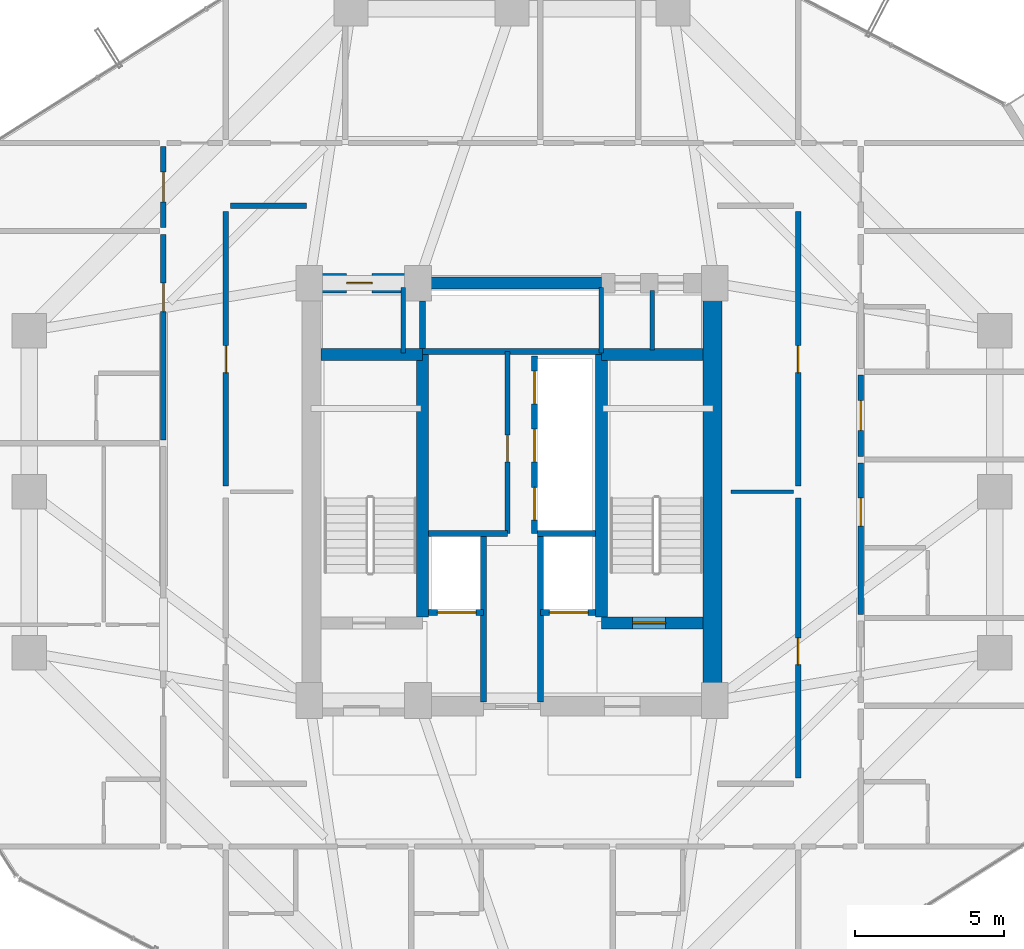
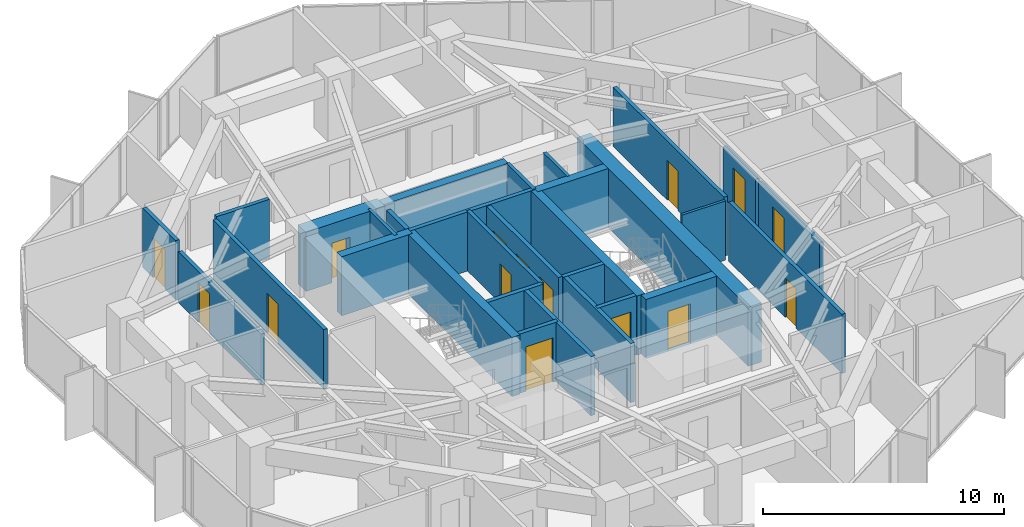
# One storey, part 28 of 32: 30 walls, 15 doors, 15 openings.
"""IFC4 building model written with IfcOpenShell, lengths in metres."""

from ifc_helpers import new_model, si_unit, direction, frame, frame_2d, origin, place, context, subcontext, project, spatial, rectangle, extrude, source, transform, mapped, material, layer, layer_set, type_object, element, fill, save


model = new_model("IFC4")

# Units and contexts
model_context = context("Model", 3, precision=1e-05, world=origin(), true_north=direction((0.0, 1.0)))
body_context = subcontext(model_context, "Body", "Model", "MODEL_VIEW")
ifc_project = project(units=[si_unit("LENGTHUNIT", "METRE"), si_unit("AREAUNIT", "SQUARE_METRE"), si_unit("VOLUMEUNIT", "CUBIC_METRE"), si_unit("PLANEANGLEUNIT", "RADIAN"), si_unit("MASSUNIT", "GRAM", prefix="KILO")], contexts=[model_context])

# Site, building, storey
site_placement = place(None, origin())
site = spatial("IfcSite", under=ifc_project, at=site_placement, CompositionType="ELEMENT")
building_placement = place(site_placement, origin())
building = spatial("IfcBuilding", under=site, at=building_placement, Name="Veraguas Prism Commons", CompositionType="ELEMENT")
storey_placement = place(building_placement, frame((0.0, 0.0, 136.0)))
storey = spatial("IfcBuildingStorey", under=building, at=storey_placement, Name="L38", CompositionType="ELEMENT", Elevation=136.0)

# Wall
ifc_material_1 = material(Name="Concrete C50/60", Category="concrete")
ifc_layer_1 = layer(ifc_material_1, 0.39990234375, Name="Clinic and Mid Core Shear Wall RC 400", Category="concrete")
ifc_layer_set_1 = layer_set([ifc_layer_1], Name="Concrete C50/60")
wall_type_1 = type_object("IfcWallType", Name="Clinic and Mid Core Shear Wall RC 400", PredefinedType="SHEAR", material=ifc_layer_set_1)
wall_1_placement = place(storey_placement, frame((21.0, 31.0, 0.0), z_axis=(0.0, 0.0, 1.0), x_axis=(1.0, 0.0, 0.0)))
element("IfcWall", 1, at=wall_1_placement, inside=storey, type_object=wall_type_1, Name="High-Rise Lift Bank Front Shear Wall L38", PredefinedType="SHEAR", context=body_context, shape_type="SweptSolid", body=[
    extrude(rectangle(XDim=6.0, YDim=0.39990234375, at=frame_2d((3.0, 0.0))), origin(), (0.0, 0.0, 1.0), 3.0),
])

# Wall, opening, door
wall_2_placement = place(storey_placement, frame((27.0, 19.60009765625, 0.0), z_axis=(0.0, 0.0, 1.0), x_axis=(1.0, 0.0, 0.0)))
wall_2 = element("IfcWall", 2, at=wall_2_placement, inside=storey, type_object=wall_type_1, Name="Stair ST-02 South Shear Wall L38", PredefinedType="SHEAR", context=body_context, shape_type="SweptSolid", body=[
    extrude(rectangle(XDim=3.39990234375, YDim=0.39990234375, at=frame_2d((1.699951171875, 0.0))), origin(), (0.0, 0.0, 1.0), 3.0),
])
opening_1_placement = place(wall_2_placement, frame((1.050048828125, 0.0, 0.0)))
opening_1 = element("IfcOpeningElement", 3, at=opening_1_placement, cuts=wall_2, Name="Opening DR-05", PredefinedType="OPENING", context=body_context, shape_type="SweptSolid", body=[
    extrude(rectangle(XDim=1.10009765625, YDim=2.030029296875, at=frame_2d((0.550048828125, 1.01513671875))), frame((0.0, 0.2099609375, 0.0), z_axis=(0.0, -1.0, 0.0), x_axis=(1.0, 0.0, 0.0)), (0.0, 0.0, 1.0), 0.419921875),
])
ifc_material_2 = material(Name="Steel fire-rated door assembly", Category="steel")
door_type_1 = type_object("IfcDoorType", Name="Protected Stair and Refuge Fire Door 1100x2030", OperationType="NOTDEFINED", PredefinedType="DOOR", material=ifc_material_2)
shared_shape_1 = source(origin(), body_context, "Body", "SweptSolid", [
    extrude(rectangle(XDim=1.10009765625, YDim=2.030029296875, at=frame_2d((0.550048828125, 1.01513671875))), frame((0.0, 0.02490234375, 0.0), z_axis=(0.0, -1.0, 0.0), x_axis=(1.0, 0.0, 0.0)), (0.0, 0.0, 1.0), 0.050048828125),
])
door_1_placement = place(opening_1_placement, origin())
door_1 = element("IfcDoor", 4, at=door_1_placement, inside=storey, type_object=door_type_1, Name="Stair ST-02 Enclosure Door L38", OperationType="SINGLE_SWING_RIGHT", OverallHeight=2.030029296875, OverallWidth=1.10009765625, PredefinedType="DOOR", context=body_context, shape_type="MappedRepresentation", body=[
    mapped(shared_shape_1, transform((0.0, 0.0, 0.0), scale=1.0)),
])
fill(opening_1, door_1)

# Walls
for number, where, z_axis, x_axis, name in (
    (5, (21.0, 19.800048828125, 0.0), (0.0, 0.0, 1.0), (0.0, 1.0, 0.0), "Stair ST-01 Inner Shear Wall L38"),
    (6, (27.0, 19.800048828125, 0.0), (0.0, 0.0, 1.0), (0.0, 1.0, 0.0), "Stair ST-02 Inner Shear Wall L38"),
):
    element("IfcWall", number, at=place(storey_placement, frame(where, z_axis=z_axis, x_axis=x_axis)), inside=storey, type_object=wall_type_1, Name=name, PredefinedType="SHEAR", context=body_context, shape_type="SweptSolid", body=[
        extrude(rectangle(XDim=8.800048828125, YDim=0.39990234375, at=frame_2d((4.39990234375, 0.0))), origin(), (0.0, 0.0, 1.0), 3.0),
    ])
for number, where, z_axis, x_axis, name in (
    (7, (17.60009765625, 28.60009765625, 0.0), (0.0, 0.0, 1.0), (1.0, 0.0, 0.0), "Stair ST-01 North Shear Wall L38"),
    (8, (27.0, 28.60009765625, 0.0), (0.0, 0.0, 1.0), (1.0, 0.0, 0.0), "Stair ST-02 North Shear Wall L38"),
):
    element("IfcWall", number, at=place(storey_placement, frame(where, z_axis=z_axis, x_axis=x_axis)), inside=storey, type_object=wall_type_1, Name=name, PredefinedType="SHEAR", context=body_context, shape_type="SweptSolid", body=[
        extrude(rectangle(XDim=3.39990234375, YDim=0.39990234375, at=frame_2d((1.699951171875, 0.0))), origin(), (0.0, 0.0, 1.0), 3.0),
    ])
ifc_material_3 = material(Name="Concrete C55/67", Category="concrete")
ifc_layer_2 = layer(ifc_material_3, 0.64990234375, Name="Core Outer Shear Wall Mid RC 650", Category="concrete")
ifc_layer_set_2 = layer_set([ifc_layer_2], Name="Concrete C55/67")
wall_type_2 = type_object("IfcWallType", Name="Core Outer Shear Wall Mid RC 650", PredefinedType="SHEAR", material=ifc_layer_set_2)
wall_3_placement = place(storey_placement, frame((30.72509765625, 16.800048828125, 0.0), z_axis=(0.0, 0.0, 1.0), x_axis=(0.0, 1.0, 0.0)))
element("IfcWall", 9, at=wall_3_placement, inside=storey, type_object=wall_type_2, Name="Central Core East Shear Wall L38", PredefinedType="SHEAR", context=body_context, shape_type="SweptSolid", body=[
    extrude(rectangle(XDim=14.199951171875, YDim=0.64990234375, at=frame_2d((7.10009765625, 0.0))), origin(), (0.0, 0.0, 1.0), 3.0),
])

# Wall, opening, door
wall_4_placement = place(storey_placement, frame((17.199951171875, 31.0, 0.0), z_axis=(0.0, 0.0, 1.0), x_axis=(1.0, 0.0, 0.0)))
wall_4 = element("IfcWall", 10, at=wall_4_placement, inside=storey, type_object=wall_type_2, Name="Central Core North-West Shear Wall L38", PredefinedType="SHEAR", context=body_context, shape_type="SweptSolid", body=[
    extrude(rectangle(XDim=3.800048828125, YDim=0.64990234375, at=frame_2d((1.89990234375, 0.0))), origin(), (0.0, 0.0, 1.0), 3.0),
])
opening_2_placement = place(wall_4_placement, frame((1.25, 0.0, 0.0)))
opening_2 = element("IfcOpeningElement", 11, at=opening_2_placement, cuts=wall_4, Name="Opening DR-12", PredefinedType="OPENING", context=body_context, shape_type="SweptSolid", body=[
    extrude(rectangle(XDim=0.860107421875, YDim=2.010009765625, at=frame_2d((0.43017578125, 1.0048828125))), frame((0.0, 0.3349609375, 0.0), z_axis=(0.0, -1.0, 0.0), x_axis=(1.0, 0.0, 0.0)), (0.0, 0.0, 1.0), 0.669921875),
])
door_type_2 = type_object("IfcDoorType", Name="Core WC Fire Door 860x2010", OperationType="NOTDEFINED", PredefinedType="DOOR", material=ifc_material_2)
shared_shape_2 = source(origin(), body_context, "Body", "SweptSolid", [
    extrude(rectangle(XDim=0.860107421875, YDim=2.010009765625, at=frame_2d((0.43017578125, 1.0048828125))), frame((0.0, 0.02490234375, 0.0), z_axis=(0.0, -1.0, 0.0), x_axis=(1.0, 0.0, 0.0)), (0.0, 0.0, 1.0), 0.050048828125),
])
door_2_placement = place(opening_2_placement, origin())
door_2 = element("IfcDoor", 12, at=door_2_placement, inside=storey, type_object=door_type_2, Name="Core NW Service Door L38", OperationType="SINGLE_SWING_RIGHT", OverallHeight=2.010009765625, OverallWidth=0.860107421875, PredefinedType="DOOR", context=body_context, shape_type="MappedRepresentation", body=[
    mapped(shared_shape_2, transform((0.0, 0.0, 0.0), scale=1.0)),
])
fill(opening_2, door_2)

ifc_material_4 = material(Name="Autoclaved aerated masonry block 10 MPa", Category="masonry")
ifc_layer_3 = layer(ifc_material_4, 0.179931640625, Name="Corridor and Inter-Tenancy Partition 180", Category="masonry")
ifc_layer_set_3 = layer_set([ifc_layer_3], Name="Autoclaved aerated masonry block 10 MPa")
wall_type_3 = type_object("IfcWallType", Name="Corridor and Inter-Tenancy Partition 180", PredefinedType="PARTITIONING", material=ifc_layer_set_3)
wall_5_placement = place(storey_placement, frame((23.85009765625, 22.60009765625, 0.0), z_axis=(0.0, 0.0, 1.0), x_axis=(0.0, 1.0, 0.0)))
wall_5 = element("IfcWall", 13, at=wall_5_placement, inside=storey, type_object=wall_type_3, Name="Reading Room Partition L38", PredefinedType="PARTITIONING", context=body_context, shape_type="SweptSolid", body=[
    extrude(rectangle(XDim=6.099853515625, YDim=0.179931640625, at=frame_2d((3.0498046875, 0.0))), origin(), (0.0, 0.0, 1.0), 3.0),
])
opening_3_placement = place(wall_5_placement, frame((2.39990234375, 0.0, 0.0)))
opening_3 = element("IfcOpeningElement", 14, at=opening_3_placement, cuts=wall_5, Name="Opening DR-14", PredefinedType="OPENING", context=body_context, shape_type="SweptSolid", body=[
    extrude(rectangle(XDim=0.89990234375, YDim=2.010009765625, at=frame_2d((0.449951171875, 1.0048828125))), frame((0.0, 0.099853515625, 0.0), z_axis=(0.0, -1.0, 0.0), x_axis=(1.0, 0.0, 0.0)), (0.0, 0.0, 1.0), 0.199951171875),
])
door_type_3 = type_object("IfcDoorType", Name="Core Service Room Fire Door 900x2010", OperationType="NOTDEFINED", PredefinedType="DOOR", material=ifc_material_2)
shared_shape_3 = source(origin(), body_context, "Body", "SweptSolid", [
    extrude(rectangle(XDim=0.89990234375, YDim=2.010009765625, at=frame_2d((0.449951171875, 1.0048828125))), frame((0.0, 0.02490234375, 0.0), z_axis=(0.0, -1.0, 0.0), x_axis=(1.0, 0.0, 0.0)), (0.0, 0.0, 1.0), 0.050048828125),
])
door_3_placement = place(opening_3_placement, origin())
door_3 = element("IfcDoor", 15, at=door_3_placement, inside=storey, type_object=door_type_3, Name="Reading Room Door L38", OperationType="SINGLE_SWING_LEFT", OverallHeight=2.010009765625, OverallWidth=0.89990234375, PredefinedType="DOOR", context=body_context, shape_type="MappedRepresentation", body=[
    mapped(shared_shape_3, transform((0.0, 0.0, 0.0), scale=1.0)),
])
fill(opening_3, door_3)

wall_6_placement = place(storey_placement, frame((14.39990234375, 24.199951171875, 0.0), z_axis=(0.0, 0.0, 1.0), x_axis=(0.0, 1.0, 0.0)))
wall_6 = element("IfcWall", 16, at=wall_6_placement, inside=storey, type_object=wall_type_3, Name="WL-L38-IRW2", PredefinedType="PARTITIONING", context=body_context, shape_type="SweptSolid", body=[
    extrude(rectangle(XDim=9.199951171875, YDim=0.179931640625, at=frame_2d((4.60009765625, 0.0))), origin(), (0.0, 0.0, 1.0), 3.0),
])
opening_4_placement = place(wall_6_placement, frame((3.800048828125, 0.0, 0.0)))
opening_4 = element("IfcOpeningElement", 17, at=opening_4_placement, cuts=wall_6, Name="Opening DR-14", PredefinedType="OPENING", context=body_context, shape_type="SweptSolid", body=[
    extrude(rectangle(XDim=0.89990234375, YDim=2.010009765625, at=frame_2d((0.449951171875, 1.0048828125))), frame((0.0, 0.099853515625, 0.0), z_axis=(0.0, -1.0, 0.0), x_axis=(1.0, 0.0, 0.0)), (0.0, 0.0, 1.0), 0.199951171875),
])
door_4_placement = place(opening_4_placement, origin())
door_4 = element("IfcDoor", 18, at=door_4_placement, inside=storey, type_object=door_type_3, Name="Co-op Cycle and Pram Store Door L38", OperationType="SINGLE_SWING_LEFT", OverallHeight=2.010009765625, OverallWidth=0.89990234375, PredefinedType="DOOR", context=body_context, shape_type="MappedRepresentation", body=[
    mapped(shared_shape_3, transform((0.0, 0.0, 0.0), scale=1.0)),
])
fill(opening_4, door_4)

wall_7_placement = place(storey_placement, frame((33.60009765625, 14.39990234375, 0.0), z_axis=(0.0, 0.0, 1.0), x_axis=(0.0, 1.0, 0.0)))
wall_7 = element("IfcWall", 19, at=wall_7_placement, inside=storey, type_object=wall_type_3, Name="WL-L38-IRE1", PredefinedType="PARTITIONING", context=body_context, shape_type="SweptSolid", body=[
    extrude(rectangle(XDim=9.400146484375, YDim=0.179931640625, at=frame_2d((4.7001953125, 0.0))), origin(), (0.0, 0.0, 1.0), 3.0),
])
opening_5_placement = place(wall_7_placement, frame((3.800048828125, 0.0, 0.0)))
opening_5 = element("IfcOpeningElement", 20, at=opening_5_placement, cuts=wall_7, Name="Opening DR-14", PredefinedType="OPENING", context=body_context, shape_type="SweptSolid", body=[
    extrude(rectangle(XDim=0.89990234375, YDim=2.010009765625, at=frame_2d((0.449951171875, 1.0048828125))), frame((0.0, 0.099853515625, 0.0), z_axis=(0.0, -1.0, 0.0), x_axis=(1.0, 0.0, 0.0)), (0.0, 0.0, 1.0), 0.199951171875),
])
door_5_placement = place(opening_5_placement, origin())
door_5 = element("IfcDoor", 21, at=door_5_placement, inside=storey, type_object=door_type_3, Name="Shared Laundry Annex Door L38", OperationType="SINGLE_SWING_RIGHT", OverallHeight=2.010009765625, OverallWidth=0.89990234375, PredefinedType="DOOR", context=body_context, shape_type="MappedRepresentation", body=[
    mapped(shared_shape_3, transform((0.0, 0.0, 0.0), scale=1.0)),
])
fill(opening_5, door_5)

wall_8_placement = place(storey_placement, frame((33.60009765625, 24.199951171875, 0.0), z_axis=(0.0, 0.0, 1.0), x_axis=(0.0, 1.0, 0.0)))
wall_8 = element("IfcWall", 22, at=wall_8_placement, inside=storey, type_object=wall_type_3, Name="WL-L38-IRE2", PredefinedType="PARTITIONING", context=body_context, shape_type="SweptSolid", body=[
    extrude(rectangle(XDim=9.199951171875, YDim=0.179931640625, at=frame_2d((4.60009765625, 0.0))), origin(), (0.0, 0.0, 1.0), 3.0),
])
opening_6_placement = place(wall_8_placement, frame((3.800048828125, 0.0, 0.0)))
opening_6 = element("IfcOpeningElement", 23, at=opening_6_placement, cuts=wall_8, Name="Opening DR-14", PredefinedType="OPENING", context=body_context, shape_type="SweptSolid", body=[
    extrude(rectangle(XDim=0.89990234375, YDim=2.010009765625, at=frame_2d((0.449951171875, 1.0048828125))), frame((0.0, 0.099853515625, 0.0), z_axis=(0.0, -1.0, 0.0), x_axis=(1.0, 0.0, 0.0)), (0.0, 0.0, 1.0), 0.199951171875),
])
door_6_placement = place(opening_6_placement, origin())
door_6 = element("IfcDoor", 24, at=door_6_placement, inside=storey, type_object=door_type_3, Name="Community Reading Alcove Door L38", OperationType="SINGLE_SWING_LEFT", OverallHeight=2.010009765625, OverallWidth=0.89990234375, PredefinedType="DOOR", context=body_context, shape_type="MappedRepresentation", body=[
    mapped(shared_shape_3, transform((0.0, 0.0, 0.0), scale=1.0)),
])
fill(opening_6, door_6)

# Wall
wall_9_placement = place(storey_placement, frame((14.550048828125, 33.60009765625, 0.0), z_axis=(0.0, 0.0, 1.0), x_axis=(1.0, 0.0, 0.0)))
element("IfcWall", 25, at=wall_9_placement, inside=storey, type_object=wall_type_3, Name="WL-L38-IRWN", PredefinedType="PARTITIONING", context=body_context, shape_type="SweptSolid", body=[
    extrude(rectangle(XDim=2.550048828125, YDim=0.179931640625, at=frame_2d((1.27490234375, 0.0))), origin(), (0.0, 0.0, 1.0), 3.0),
])

# Wall, opening, door
wall_10_placement = place(storey_placement, frame((12.300048828125, 32.860107421875, 0.0), z_axis=(0.0, 0.0, 1.0), x_axis=(0.0, 1.0, 0.0)))
wall_10 = element("IfcWall", 26, at=wall_10_placement, inside=storey, type_object=wall_type_3, Name="WL-L38-PT032", PredefinedType="PARTITIONING", context=body_context, shape_type="SweptSolid", body=[
    extrude(rectangle(XDim=2.72998046875, YDim=0.179931640625, at=frame_2d((1.364990234375, 0.0))), origin(), (0.0, 0.0, 1.0), 3.0),
])
opening_7_placement = place(wall_10_placement, frame((0.864990234375, 0.0, 0.0)))
opening_7 = element("IfcOpeningElement", 27, at=opening_7_placement, cuts=wall_10, Name="Opening DR-13", PredefinedType="OPENING", context=body_context, shape_type="SweptSolid", body=[
    extrude(rectangle(XDim=1.0, YDim=2.010009765625, at=frame_2d((0.5, 1.0048828125))), frame((0.0, 0.099853515625, 0.0), z_axis=(0.0, -1.0, 0.0), x_axis=(1.0, 0.0, 0.0)), (0.0, 0.0, 1.0), 0.199951171875),
])
door_type_4 = type_object("IfcDoorType", Name="Core Accessible WC and Clinic Fire Door 1000x2010", OperationType="NOTDEFINED", PredefinedType="DOOR", material=ifc_material_2)
shared_shape_4 = source(origin(), body_context, "Body", "SweptSolid", [
    extrude(rectangle(XDim=1.0, YDim=2.010009765625, at=frame_2d((0.5, 1.0048828125))), frame((0.0, 0.02490234375, 0.0), z_axis=(0.0, -1.0, 0.0), x_axis=(1.0, 0.0, 0.0)), (0.0, 0.0, 1.0), 0.050048828125),
])
door_7_placement = place(opening_7_placement, origin())
door_7 = element("IfcDoor", 28, at=door_7_placement, inside=storey, type_object=door_type_4, Name="Quiet Study W Door", OperationType="SINGLE_SWING_RIGHT", OverallHeight=2.010009765625, OverallWidth=1.0, PredefinedType="DOOR", context=body_context, shape_type="MappedRepresentation", body=[
    mapped(shared_shape_4, transform((0.0, 0.0, 0.0), scale=1.0)),
])
fill(opening_7, door_7)

wall_11_placement = place(storey_placement, frame((12.300048828125, 25.738037109375, 0.0), z_axis=(0.0, 0.0, 1.0), x_axis=(0.0, 1.0, 0.0)))
wall_11 = element("IfcWall", 29, at=wall_11_placement, inside=storey, type_object=wall_type_3, Name="WL-L38-PT034", PredefinedType="PARTITIONING", context=body_context, shape_type="SweptSolid", body=[
    extrude(rectangle(XDim=6.90185546875, YDim=0.179931640625, at=frame_2d((3.450927734375, 0.0))), origin(), (0.0, 0.0, 1.0), 2.580078125),
])
opening_8_placement = place(wall_11_placement, frame((4.30859375, 0.0, 0.0)))
opening_8 = element("IfcOpeningElement", 30, at=opening_8_placement, cuts=wall_11, Name="Opening DR-01", PredefinedType="OPENING", context=body_context, shape_type="SweptSolid", body=[
    extrude(rectangle(XDim=0.949951171875, YDim=2.02001953125, at=frame_2d((0.47509765625, 1.010009765625))), frame((0.0, 0.099853515625, 0.0), z_axis=(0.0, -1.0, 0.0), x_axis=(1.0, 0.0, 0.0)), (0.0, 0.0, 1.0), 0.199951171875),
])
ifc_material_5 = material(Name="Anodised aluminium EN AW-6063 T6", Category="aluminium")
door_type_5 = type_object("IfcDoorType", Name="Apartment Entrance Fire Door 950x2020", OperationType="NOTDEFINED", PredefinedType="DOOR", material=ifc_material_5)
shared_shape_5 = source(origin(), body_context, "Body", "SweptSolid", [
    extrude(rectangle(XDim=0.949951171875, YDim=2.02001953125, at=frame_2d((0.47509765625, 1.010009765625))), frame((0.0, 0.02490234375, 0.0), z_axis=(0.0, -1.0, 0.0), x_axis=(1.0, 0.0, 0.0)), (0.0, 0.0, 1.0), 0.050048828125),
])
door_8_placement = place(opening_8_placement, origin())
door_8 = element("IfcDoor", 31, at=door_8_placement, inside=storey, type_object=door_type_5, Name="Studio 38E Entrance Door", OperationType="SINGLE_SWING_LEFT", OverallHeight=2.02001953125, OverallWidth=0.949951171875, PredefinedType="DOOR", context=body_context, shape_type="MappedRepresentation", body=[
    mapped(shared_shape_5, transform((0.0, 0.0, 0.0), scale=1.0)),
])
fill(opening_8, door_8)

wall_12_placement = place(storey_placement, frame((35.699951171875, 25.19189453125, 0.0), z_axis=(0.0, 0.0, 1.0), x_axis=(0.0, 1.0, 0.0)))
wall_12 = element("IfcWall", 32, at=wall_12_placement, inside=storey, type_object=wall_type_3, Name="WL-L38-PT045", PredefinedType="PARTITIONING", context=body_context, shape_type="SweptSolid", body=[
    extrude(rectangle(XDim=2.730224609375, YDim=0.179931640625, at=frame_2d((1.365234375, 0.0))), origin(), (0.0, 0.0, 1.0), 2.580078125),
])
opening_9_placement = place(wall_12_placement, frame((0.864990234375, 0.0, 0.0)))
opening_9 = element("IfcOpeningElement", 33, at=opening_9_placement, cuts=wall_12, Name="Opening DR-13", PredefinedType="OPENING", context=body_context, shape_type="SweptSolid", body=[
    extrude(rectangle(XDim=1.0, YDim=2.010009765625, at=frame_2d((0.5, 1.0048828125))), frame((0.0, 0.099853515625, 0.0), z_axis=(0.0, -1.0, 0.0), x_axis=(1.0, 0.0, 0.0)), (0.0, 0.0, 1.0), 0.199951171875),
])
door_9_placement = place(opening_9_placement, origin())
door_9 = element("IfcDoor", 34, at=door_9_placement, inside=storey, type_object=door_type_4, Name="Quiet Study E Door", OperationType="SINGLE_SWING_RIGHT", OverallHeight=2.010009765625, OverallWidth=1.0, PredefinedType="DOOR", context=body_context, shape_type="MappedRepresentation", body=[
    mapped(shared_shape_4, transform((0.0, 0.0, 0.0), scale=1.0)),
])
fill(opening_9, door_9)

wall_13_placement = place(storey_placement, frame((35.699951171875, 19.8779296875, 0.0), z_axis=(0.0, 0.0, 1.0), x_axis=(0.0, 1.0, 0.0)))
wall_13 = element("IfcWall", 35, at=wall_13_placement, inside=storey, type_object=wall_type_3, Name="WL-L38-PT047", PredefinedType="PARTITIONING", context=body_context, shape_type="SweptSolid", body=[
    extrude(rectangle(XDim=5.093994140625, YDim=0.179931640625, at=frame_2d((2.546875, 0.0))), origin(), (0.0, 0.0, 1.0), 2.580078125),
])
opening_10_placement = place(wall_13_placement, frame((2.970703125, 0.0, 0.0)))
opening_10 = element("IfcOpeningElement", 36, at=opening_10_placement, cuts=wall_13, Name="Opening DR-01", PredefinedType="OPENING", context=body_context, shape_type="SweptSolid", body=[
    extrude(rectangle(XDim=0.949951171875, YDim=2.02001953125, at=frame_2d((0.47509765625, 1.010009765625))), frame((0.0, 0.099853515625, 0.0), z_axis=(0.0, -1.0, 0.0), x_axis=(1.0, 0.0, 0.0)), (0.0, 0.0, 1.0), 0.199951171875),
])
door_10_placement = place(opening_10_placement, origin())
door_10 = element("IfcDoor", 37, at=door_10_placement, inside=storey, type_object=door_type_5, Name="Studio 38G Entrance Door", OperationType="SINGLE_SWING_LEFT", OverallHeight=2.02001953125, OverallWidth=0.949951171875, PredefinedType="DOOR", context=body_context, shape_type="MappedRepresentation", body=[
    mapped(shared_shape_5, transform((0.0, 0.0, 0.0), scale=1.0)),
])
fill(opening_10, door_10)

# Wall
ifc_material_6 = material(Name="Lightweight acoustic gypsum board")
ifc_layer_4 = layer(ifc_material_6, 0.125, Name="Internal Apartment Room Partition 125")
ifc_layer_set_4 = layer_set([ifc_layer_4], Name="Lightweight acoustic gypsum board")
wall_type_4 = type_object("IfcWallType", Name="Internal Apartment Room Partition 125", PredefinedType="PARTITIONING", material=ifc_layer_set_4)
wall_14_placement = place(storey_placement, frame((31.35009765625, 24.0, 0.0), z_axis=(0.0, 0.0, 1.0), x_axis=(1.0, 0.0, 0.0)))
element("IfcWall", 38, at=wall_14_placement, inside=storey, type_object=wall_type_4, Name="WL-L38-IREM", PredefinedType="PARTITIONING", context=body_context, shape_type="SweptSolid", body=[
    extrude(rectangle(XDim=2.099853515625, YDim=0.125, at=frame_2d((1.0498046875, 0.0))), origin(), (0.0, 0.0, 1.0), 3.0),
])

# Wall, opening, door
ifc_layer_5 = layer(ifc_material_4, 0.199951171875, Name="Rated Shaft and Lobby Block Wall 200", Category="masonry")
ifc_layer_set_5 = layer_set([ifc_layer_5], Name="Autoclaved aerated masonry block 10 MPa")
wall_type_5 = type_object("IfcWallType", Name="Rated Shaft and Lobby Block Wall 200", PredefinedType="SOLIDWALL", material=ifc_layer_set_5)
wall_15_placement = place(storey_placement, frame((21.199951171875, 19.949951171875, 0.0), z_axis=(0.0, 0.0, 1.0), x_axis=(1.0, 0.0, 0.0)))
wall_15 = element("IfcWall", 39, at=wall_15_placement, inside=storey, type_object=wall_type_5, Name="Firefighting Lift FFL-1 Front Wall L38", PredefinedType="SOLIDWALL", context=body_context, shape_type="SweptSolid", body=[
    extrude(rectangle(XDim=1.85009765625, YDim=0.199951171875, at=frame_2d((0.925048828125, 0.0))), origin(), (0.0, 0.0, 1.0), 3.0),
])
opening_11_placement = place(wall_15_placement, frame((0.300048828125, 0.0, 0.0)))
opening_11 = element("IfcOpeningElement", 40, at=opening_11_placement, cuts=wall_15, Name="Opening LD-02", PredefinedType="OPENING", context=body_context, shape_type="SweptSolid", body=[
    extrude(rectangle(XDim=1.300048828125, YDim=2.25, at=frame_2d((0.64990234375, 1.125))), frame((0.0, 0.10986328125, 0.0), z_axis=(0.0, -1.0, 0.0), x_axis=(1.0, 0.0, 0.0)), (0.0, 0.0, 1.0), 0.219970703125),
])
ifc_material_7 = material(Name="Stainless steel AISI 316", Category="steel")
door_type_6 = type_object("IfcDoorType", Name="Firefighting Lift Sliding Landing Door 1300x2250", OperationType="NOTDEFINED", PredefinedType="DOOR", material=ifc_material_7)
shared_shape_6 = source(origin(), body_context, "Body", "SweptSolid", [
    extrude(rectangle(XDim=1.300048828125, YDim=2.25, at=frame_2d((0.64990234375, 1.125))), frame((0.0, 0.02490234375, 0.0), z_axis=(0.0, -1.0, 0.0), x_axis=(1.0, 0.0, 0.0)), (0.0, 0.0, 1.0), 0.050048828125),
])
door_11_placement = place(opening_11_placement, origin())
door_11 = element("IfcDoor", 41, at=door_11_placement, inside=storey, type_object=door_type_6, Name="Firefighting Lift FFL-1 Landing Door L38", OperationType="SLIDING_TO_LEFT", OverallHeight=2.25, OverallWidth=1.300048828125, PredefinedType="DOOR", context=body_context, shape_type="MappedRepresentation", body=[
    mapped(shared_shape_6, transform((0.0, 0.0, 0.0), scale=1.0)),
])
fill(opening_11, door_11)

wall_16_placement = place(storey_placement, frame((24.949951171875, 19.949951171875, 0.0), z_axis=(0.0, 0.0, 1.0), x_axis=(1.0, 0.0, 0.0)))
wall_16 = element("IfcWall", 42, at=wall_16_placement, inside=storey, type_object=wall_type_5, Name="Firefighting Lift FFL-2 Front Wall L38", PredefinedType="SOLIDWALL", context=body_context, shape_type="SweptSolid", body=[
    extrude(rectangle(XDim=1.85009765625, YDim=0.199951171875, at=frame_2d((0.925048828125, 0.0))), origin(), (0.0, 0.0, 1.0), 3.0),
])
opening_12_placement = place(wall_16_placement, frame((0.300048828125, 0.0, 0.0)))
opening_12 = element("IfcOpeningElement", 43, at=opening_12_placement, cuts=wall_16, Name="Opening LD-02", PredefinedType="OPENING", context=body_context, shape_type="SweptSolid", body=[
    extrude(rectangle(XDim=1.300048828125, YDim=2.25, at=frame_2d((0.64990234375, 1.125))), frame((0.0, 0.10986328125, 0.0), z_axis=(0.0, -1.0, 0.0), x_axis=(1.0, 0.0, 0.0)), (0.0, 0.0, 1.0), 0.219970703125),
])
door_12_placement = place(opening_12_placement, origin())
door_12 = element("IfcDoor", 44, at=door_12_placement, inside=storey, type_object=door_type_6, Name="Firefighting Lift FFL-2 Front Wall L38", OperationType="SLIDING_TO_LEFT", OverallHeight=2.25, OverallWidth=1.300048828125, PredefinedType="DOOR", context=body_context, shape_type="MappedRepresentation", body=[
    mapped(shared_shape_6, transform((0.0, 0.0, 0.0), scale=1.0)),
])
fill(opening_12, door_12)

# Walls
for number, where, z_axis, x_axis, name in (
    (45, (23.050048828125, 16.949951171875, 0.0), (0.0, 0.0, 1.0), (0.0, 1.0, 0.0), "West FF Lobby Divider Wall L38"),
    (46, (24.949951171875, 16.949951171875, 0.0), (0.0, 0.0, 1.0), (0.0, 1.0, 0.0), "East FF Lobby Divider Wall L38"),
):
    element("IfcWall", number, at=place(storey_placement, frame(where, z_axis=z_axis, x_axis=x_axis)), inside=storey, type_object=wall_type_5, Name=name, PredefinedType="SOLIDWALL", context=body_context, shape_type="SweptSolid", body=[
        extrude(rectangle(XDim=5.60009765625, YDim=0.199951171875, at=frame_2d((2.800048828125, 0.0))), origin(), (0.0, 0.0, 1.0), 3.0),
    ])
wall_17_placement = place(storey_placement, frame((21.199951171875, 22.60009765625, 0.0), z_axis=(0.0, 0.0, 1.0), x_axis=(1.0, 0.0, 0.0)))
element("IfcWall", 47, at=wall_17_placement, inside=storey, type_object=wall_type_5, Name="Firefighting Lift FFL-1 Rear Wall L38", PredefinedType="SOLIDWALL", context=body_context, shape_type="SweptSolid", body=[
    extrude(rectangle(XDim=2.650146484375, YDim=0.199951171875, at=frame_2d((1.3251953125, 0.0))), origin(), (0.0, 0.0, 1.0), 3.0),
])
wall_18_placement = place(storey_placement, frame((24.85009765625, 22.60009765625, 0.0), z_axis=(0.0, 0.0, 1.0), x_axis=(1.0, 0.0, 0.0)))
element("IfcWall", 48, at=wall_18_placement, inside=storey, type_object=wall_type_5, Name="Firefighting Lift FFL-2 Rear Wall L38", PredefinedType="SOLIDWALL", context=body_context, shape_type="SweptSolid", body=[
    extrude(rectangle(XDim=1.949951171875, YDim=0.199951171875, at=frame_2d((0.97509765625, 0.0))), origin(), (0.0, 0.0, 1.0), 3.0),
])
wall_19_placement = place(storey_placement, frame((21.0, 28.699951171875, 0.0), z_axis=(0.0, 0.0, 1.0), x_axis=(1.0, 0.0, 0.0)))
element("IfcWall", 49, at=wall_19_placement, inside=storey, type_object=wall_type_5, Name="High-Rise Lift Bank Rear Shaft Wall L38", PredefinedType="SOLIDWALL", context=body_context, shape_type="SweptSolid", body=[
    extrude(rectangle(XDim=6.0, YDim=0.199951171875, at=frame_2d((3.0, 0.0))), origin(), (0.0, 0.0, 1.0), 3.0),
])
wall_20_placement = place(storey_placement, frame((21.0, 28.800048828125, 0.0), z_axis=(0.0, 0.0, 1.0), x_axis=(0.0, 1.0, 0.0)))
element("IfcWall", 50, at=wall_20_placement, inside=storey, type_object=wall_type_5, Name="High-Rise Lift Bank West Shaft Wall L38", PredefinedType="SOLIDWALL", context=body_context, shape_type="SweptSolid", body=[
    extrude(rectangle(XDim=1.599853515625, YDim=0.199951171875, at=frame_2d((0.7998046875, 0.0))), origin(), (0.0, 0.0, 1.0), 3.0),
])

# Wall, openings, doors
wall_21_placement = place(storey_placement, frame((24.75, 22.60009765625, 0.0), z_axis=(0.0, 0.0, 1.0), x_axis=(0.0, 1.0, 0.0)))
wall_21 = element("IfcWall", 51, at=wall_21_placement, inside=storey, type_object=wall_type_5, Name="Mid-Rise Lift Bank Front Wall L38", PredefinedType="SOLIDWALL", context=body_context, shape_type="SweptSolid", body=[
    extrude(rectangle(XDim=5.949951171875, YDim=0.199951171875, at=frame_2d((2.97509765625, 0.0))), origin(), (0.0, 0.0, 1.0), 3.0),
])
opening_13_placement = place(wall_21_placement, frame((0.449951171875, 0.0, 0.0)))
opening_13 = element("IfcOpeningElement", 52, at=opening_13_placement, cuts=wall_21, Name="Opening LD-01", PredefinedType="OPENING", context=body_context, shape_type="SweptSolid", body=[
    extrude(rectangle(XDim=1.10009765625, YDim=2.080078125, at=frame_2d((0.550048828125, 1.0400390625))), frame((0.0, 0.10986328125, 0.0), z_axis=(0.0, -1.0, 0.0), x_axis=(1.0, 0.0, 0.0)), (0.0, 0.0, 1.0), 0.219970703125),
])
opening_14_placement = place(wall_21_placement, frame((2.39990234375, 0.0, 0.0)))
opening_14 = element("IfcOpeningElement", 53, at=opening_14_placement, cuts=wall_21, Name="Opening LD-01", PredefinedType="OPENING", context=body_context, shape_type="SweptSolid", body=[
    extrude(rectangle(XDim=1.10009765625, YDim=2.080078125, at=frame_2d((0.550048828125, 1.0400390625))), frame((0.0, 0.10986328125, 0.0), z_axis=(0.0, -1.0, 0.0), x_axis=(1.0, 0.0, 0.0)), (0.0, 0.0, 1.0), 0.219970703125),
])
opening_15_placement = place(wall_21_placement, frame((4.35009765625, 0.0, 0.0)))
opening_15 = element("IfcOpeningElement", 54, at=opening_15_placement, cuts=wall_21, Name="Opening LD-01", PredefinedType="OPENING", context=body_context, shape_type="SweptSolid", body=[
    extrude(rectangle(XDim=1.10009765625, YDim=2.080078125, at=frame_2d((0.550048828125, 1.0400390625))), frame((0.0, 0.10986328125, 0.0), z_axis=(0.0, -1.0, 0.0), x_axis=(1.0, 0.0, 0.0)), (0.0, 0.0, 1.0), 0.219970703125),
])
door_type_7 = type_object("IfcDoorType", Name="Passenger Lift Sliding Landing Door 1100x2080", OperationType="NOTDEFINED", PredefinedType="DOOR", material=ifc_material_7)
shared_shape_7 = source(origin(), body_context, "Body", "SweptSolid", [
    extrude(rectangle(XDim=1.10009765625, YDim=2.080078125, at=frame_2d((0.550048828125, 1.0400390625))), frame((0.0, 0.02490234375, 0.0), z_axis=(0.0, -1.0, 0.0), x_axis=(1.0, 0.0, 0.0)), (0.0, 0.0, 1.0), 0.050048828125),
])
door_13_placement = place(opening_13_placement, origin())
door_13 = element("IfcDoor", 55, at=door_13_placement, inside=storey, type_object=door_type_7, Name="Sliding Landing Door PL-M1 L38", OperationType="SLIDING_TO_LEFT", OverallHeight=2.080078125, OverallWidth=1.10009765625, PredefinedType="DOOR", context=body_context, shape_type="MappedRepresentation", body=[
    mapped(shared_shape_7, transform((0.0, 0.0, 0.0), scale=1.0)),
])
fill(opening_13, door_13)
door_14_placement = place(opening_14_placement, origin())
door_14 = element("IfcDoor", 56, at=door_14_placement, inside=storey, type_object=door_type_7, Name="Sliding Landing Door PL-M2 L38", OperationType="SLIDING_TO_LEFT", OverallHeight=2.080078125, OverallWidth=1.10009765625, PredefinedType="DOOR", context=body_context, shape_type="MappedRepresentation", body=[
    mapped(shared_shape_7, transform((0.0, 0.0, 0.0), scale=1.0)),
])
fill(opening_14, door_14)
door_15_placement = place(opening_15_placement, origin())
door_15 = element("IfcDoor", 57, at=door_15_placement, inside=storey, type_object=door_type_7, Name="Sliding Landing Door PL-M3 L38", OperationType="SLIDING_TO_LEFT", OverallHeight=2.080078125, OverallWidth=1.10009765625, PredefinedType="DOOR", context=body_context, shape_type="MappedRepresentation", body=[
    mapped(shared_shape_7, transform((0.0, 0.0, 0.0), scale=1.0)),
])
fill(opening_15, door_15)

# Walls
ifc_layer_6 = layer(ifc_material_6, 0.14990234375, Name="Wet Room and Clinic Acoustic Partition 150")
ifc_layer_set_6 = layer_set([ifc_layer_6], Name="Lightweight acoustic gypsum board")
wall_type_6 = type_object("IfcWallType", Name="Wet Room and Clinic Acoustic Partition 150", PredefinedType="PARTITIONING", material=ifc_layer_set_6)
for number, where, z_axis, x_axis, name in (
    (58, (20.35009765625, 28.64990234375, 0.0), (0.0, 0.0, 1.0), (0.0, 1.0, 0.0), "Core NW Service Inner Wall L38"),
    (59, (27.0, 28.64990234375, 0.0), (0.0, 0.0, 1.0), (0.0, 1.0, 0.0), "Core NE Service Inner Wall L38"),
):
    element("IfcWall", number, at=place(storey_placement, frame(where, z_axis=z_axis, x_axis=x_axis)), inside=storey, type_object=wall_type_6, Name=name, PredefinedType="PARTITIONING", context=body_context, shape_type="SweptSolid", body=[
        extrude(rectangle(XDim=2.2001953125, YDim=0.14990234375, at=frame_2d((1.10009765625, 0.0))), origin(), (0.0, 0.0, 1.0), 3.0),
    ])
wall_22_placement = place(storey_placement, frame((28.699951171875, 28.75, 0.0), z_axis=(0.0, 0.0, 1.0), x_axis=(0.0, 1.0, 0.0)))
element("IfcWall", 60, at=wall_22_placement, inside=storey, type_object=wall_type_6, Name="WL-L38-CSVD1", PredefinedType="PARTITIONING", context=body_context, shape_type="SweptSolid", body=[
    extrude(rectangle(XDim=2.0, YDim=0.14990234375, at=frame_2d((1.0, 0.0))), origin(), (0.0, 0.0, 1.0), 3.0),
])

save(model, "model.ifc")
